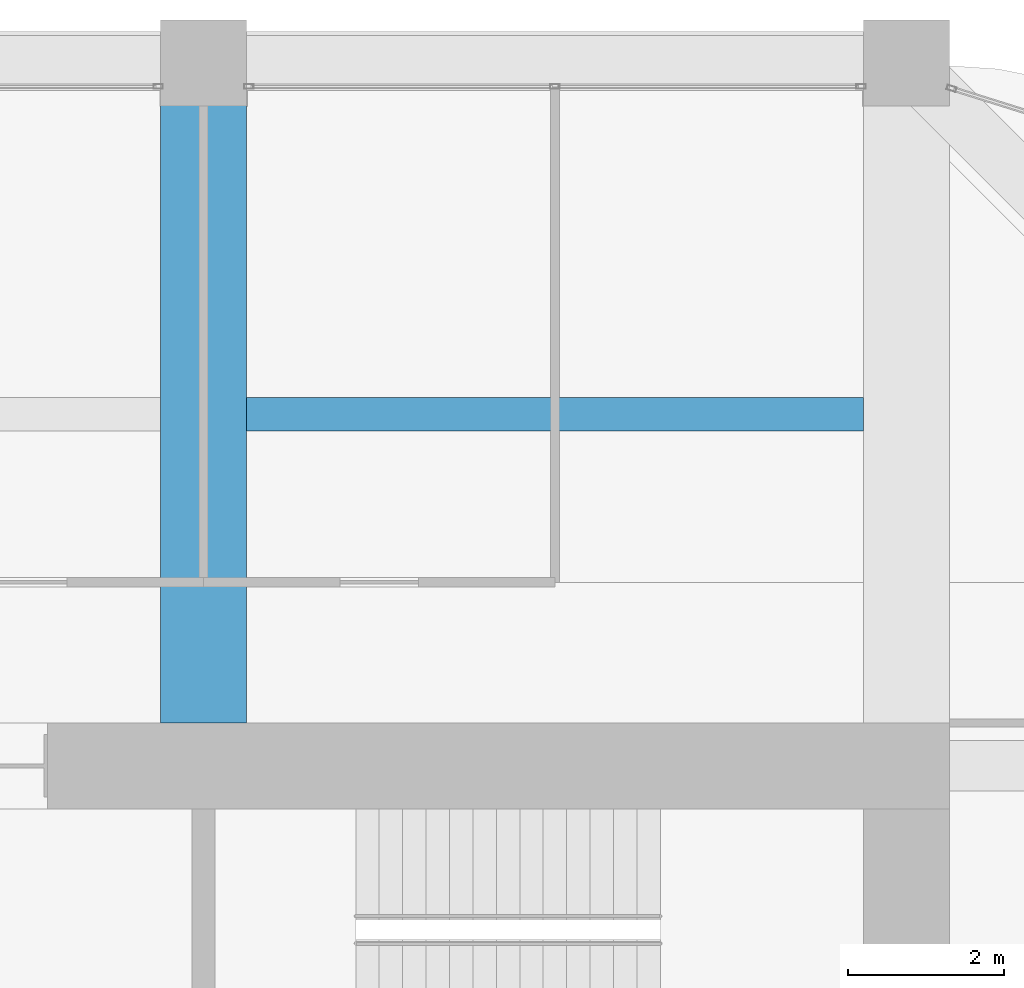
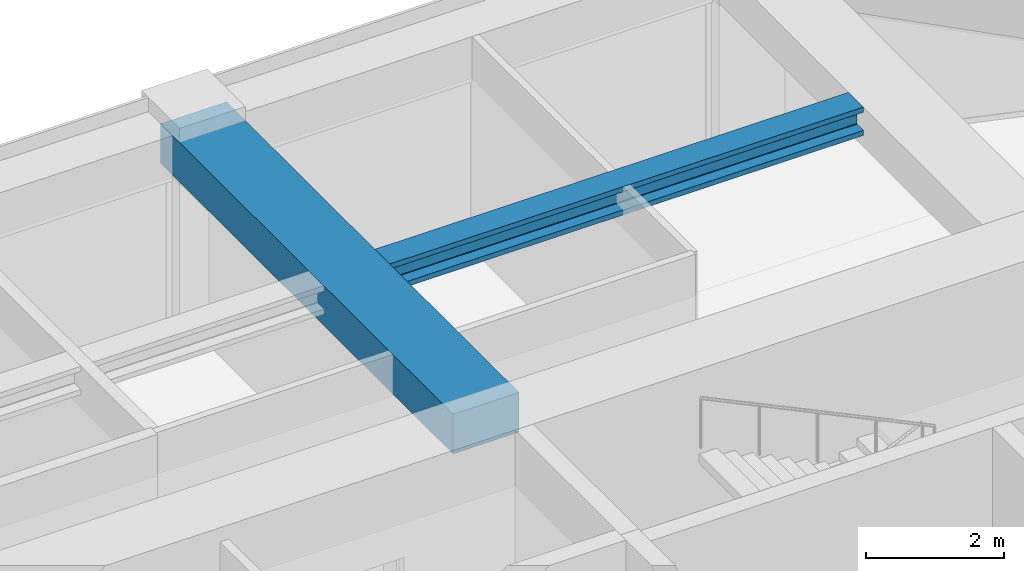
# One storey, part 34 of 45: 2 beams.
"""IFC4 building model written with IfcOpenShell, lengths in metres."""

from ifc_helpers import new_model, si_unit, direction, frame, origin, origin_2d, place, context, subcontext, project, spatial, rectangle, i_section, extrude, material, material_profile, profile_set, type_object, element, save


model = new_model("IFC4")

# Units and contexts
model_context = context("Model", 3, precision=1e-05, world=origin(), true_north=direction((0.0, 1.0)))
body_context = subcontext(model_context, "Body", "Model", "MODEL_VIEW")
ifc_project = project(units=[si_unit("LENGTHUNIT", "METRE"), si_unit("AREAUNIT", "SQUARE_METRE"), si_unit("VOLUMEUNIT", "CUBIC_METRE"), si_unit("PLANEANGLEUNIT", "RADIAN"), si_unit("MASSUNIT", "GRAM", prefix="KILO")], contexts=[model_context])

# Site, building, storey
site_placement = place(None, origin())
site = spatial("IfcSite", under=ifc_project, at=site_placement, CompositionType="ELEMENT")
building_placement = place(site_placement, origin())
building = spatial("IfcBuilding", under=site, at=building_placement, Name="Zorevar Civic Tower", CompositionType="ELEMENT")
storey_placement = place(building_placement, frame((0.0, 0.0, 279.39990234375)))
storey = spatial("IfcBuildingStorey", under=building, at=storey_placement, Name="L68", CompositionType="ELEMENT", Elevation=279.39990234375)

# Beams
ifc_material_1 = material(Name="Concrete C50/60", Category="concrete")
ifc_material_profile_1 = material_profile(ifc_material_1, rectangle(XDim=1.10009765625, YDim=0.699951171875, at=origin_2d()), Name="RC 1100x700")
ifc_profile_set_1 = profile_set([ifc_material_profile_1], Name="Concrete C50/60")
beam_type_1 = type_object("IfcBeamType", Name="Beam RC 1100x700", PredefinedType="BEAM", material=ifc_profile_set_1)
beam_1_placement = place(storey_placement, frame((36.0, 36.550048828125, 3.400146484375), z_axis=(0.0, 1.0, 0.0), x_axis=(-1.0, 0.0, 0.0)))
element("IfcBeam", 1, at=beam_1_placement, inside=storey, type_object=beam_type_1, Name="Girder L69", PredefinedType="BEAM", context=body_context, shape_type="SweptSolid", body=[
    extrude(rectangle(XDim=1.10009765625, YDim=0.699951171875, at=origin_2d()), origin(), (0.0, 0.0, 1.0), 8.449951171875),
])
ifc_material_2 = material(Name="Steel S460M (HISTAR 460)", Category="steel")
ifc_material_profile_2 = material_profile(ifc_material_2, i_section(OverallWidth=0.431884765625, OverallDepth=0.498046875, WebThickness=0.0556640625, FlangeThickness=0.0888671875, FilletRadius=0.014892578125, at=origin_2d()), Name="HD 400x744")
ifc_profile_set_2 = profile_set([ifc_material_profile_2], Name="Steel S460M (HISTAR 460)")
beam_type_2 = type_object("IfcBeamType", Name="Core bay beam HD 400x744", PredefinedType="BEAM", material=ifc_profile_set_2)
beam_2_placement = place(storey_placement, frame((36.550048828125, 40.5, 3.5009765625), z_axis=(1.0, 0.0, 0.0), x_axis=(0.0, 1.0, 0.0)))
element("IfcBeam", 2, at=beam_2_placement, inside=storey, type_object=beam_type_2, Name="Secondary beam L69", PredefinedType="BEAM", context=body_context, shape_type="SweptSolid", body=[
    extrude(i_section(OverallWidth=0.431884765625, OverallDepth=0.498046875, WebThickness=0.0556640625, FlangeThickness=0.0888671875, FilletRadius=0.014892578125, at=origin_2d()), origin(), (0.0, 0.0, 1.0), 7.89990234375),
])

save(model, "model.ifc")
